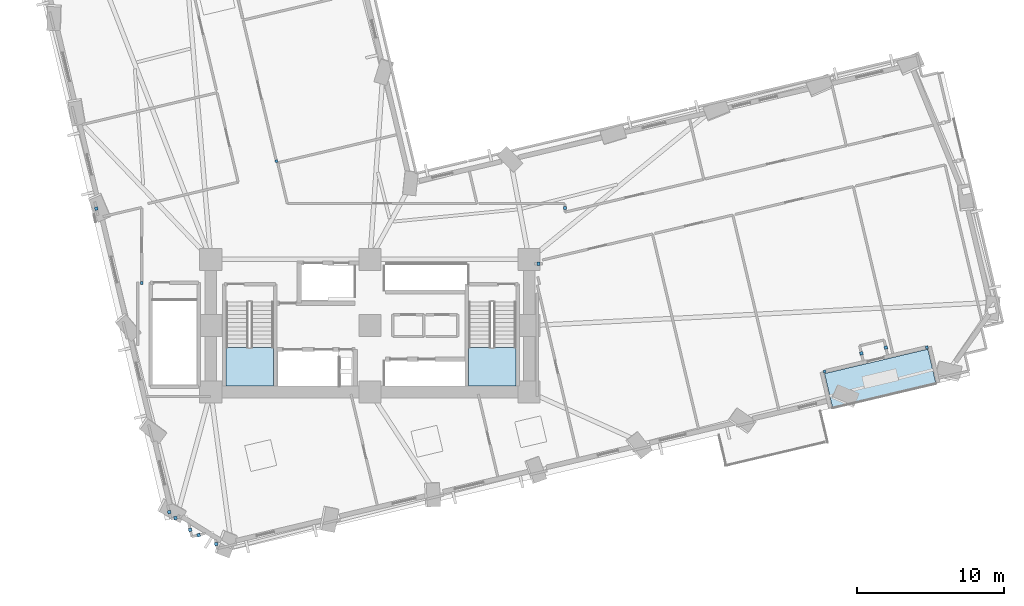
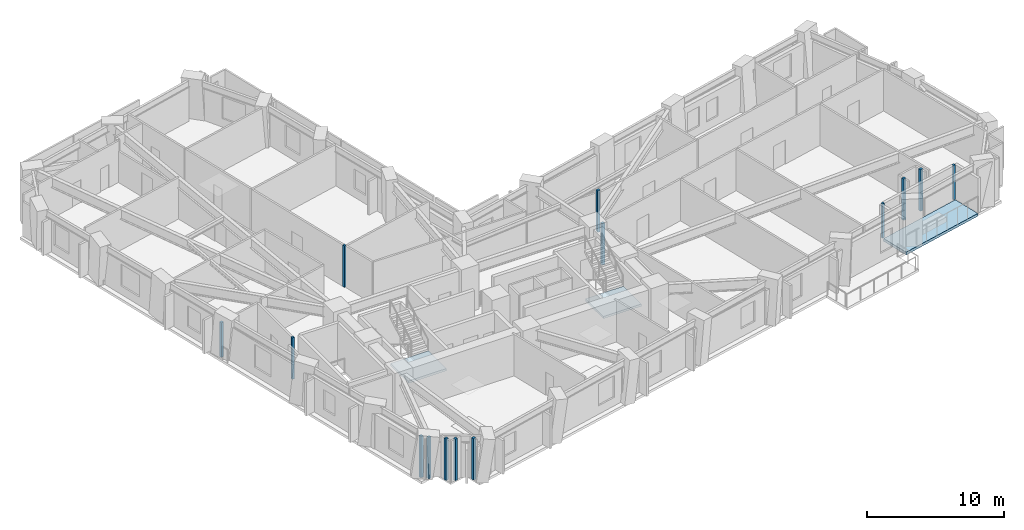
# One storey, part 3 of 14: 14 plates, 3 slabs, 2 elements without a shape of their own.
"""IFC4 building model written with IfcOpenShell, lengths in metres."""

from ifc_helpers import new_model, si_unit, direction, frame, origin, origin_2d, place, context, subcontext, project, spatial, polyline, rectangle, outline, extrude, material, layer, layer_set, type_object, element, aggregate, save


model = new_model("IFC4")

# Units and contexts
model_context = context("Model", 3, precision=1e-05, world=origin(), true_north=direction((0.0, 1.0)))
body_context = subcontext(model_context, "Body", "Model", "MODEL_VIEW")
ifc_project = project(units=[si_unit("LENGTHUNIT", "METRE"), si_unit("AREAUNIT", "SQUARE_METRE"), si_unit("VOLUMEUNIT", "CUBIC_METRE"), si_unit("PLANEANGLEUNIT", "RADIAN"), si_unit("MASSUNIT", "GRAM", prefix="KILO")], contexts=[model_context])

# Site, building, storey
site_placement = place(None, origin())
site = spatial("IfcSite", under=ifc_project, at=site_placement, CompositionType="ELEMENT")
building_placement = place(site_placement, origin())
building = spatial("IfcBuilding", under=site, at=building_placement, Name="Gaonmaruhae Medical Tower", CompositionType="ELEMENT")
storey_placement = place(building_placement, frame((0.0, 0.0, 79.0)))
storey = spatial("IfcBuildingStorey", under=building, at=storey_placement, Name="L18", CompositionType="ELEMENT", Elevation=79.0)

# Plates
ifc_material_1 = material(Name="Anodised aluminium 6063-T6", Category="aluminium")
ifc_layer_1 = layer(ifc_material_1, 0.011962890625)
ifc_layer_set_1 = layer_set([ifc_layer_1], Name="Anodised aluminium 6063-T6")
plate_type = type_object("IfcPlateType", Name="PP-01 Interior Partition Corner Stiffener Plate", PredefinedType="SHEET", material=ifc_layer_set_1)
for number, where, z_axis, x_axis, name in (
    (1, (62.57568359375, 10.831298828125, 0.0), (0.0, 0.0, 1.0), (-0.973178872777, -0.230049737188, 0.0), "L18 Partition End Jamb Post Plate PLT-L18-ENDP-TERB-0"),
    (2, (55.646484375, 9.193115234375, 0.0), (0.0, 0.0, 1.0), (-0.973178872777, -0.230049737188, 0.0), "L18 Partition End Jamb Post Plate PLT-L18-ENDP-TERB-1"),
):
    element("IfcPlate", number, at=place(storey_placement, frame(where, z_axis=z_axis, x_axis=x_axis)), inside=storey, type_object=plate_type, Name=name, PredefinedType="SHEET", context=body_context, shape_type="SweptSolid", body=[
        extrude(rectangle(XDim=0.179931640625, YDim=0.179931640625, at=origin_2d()), origin(), (0.0, 0.0, 1.0), 3.0849609375),
    ])
for number, where, z_axis, x_axis, name in (
    (3, (9.320068359375, 15.197021484375, 0.0), (0.0, 0.0, 1.0), (0.0, -1.0, 0.0), "L18 Partition End Jamb Post Plate PLT-L18-ENDP-PW046-1"),
    (4, (18.452392578125, 23.458984375, 0.0), (0.0, 0.0, 1.0), (-0.230032751978, 0.973182887754, 0.0), "L18 Partition End Jamb Post Plate PLT-L18-ENDP-PW080-0"),
):
    element("IfcPlate", number, at=place(storey_placement, frame(where, z_axis=z_axis, x_axis=x_axis)), inside=storey, type_object=plate_type, Name=name, PredefinedType="SHEET", context=body_context, shape_type="SweptSolid", body=[
        extrude(rectangle(XDim=0.179931640625, YDim=0.179931640625, at=origin_2d()), origin(), (0.0, 0.0, 1.0), 3.699951171875),
    ])
for number, where, z_axis, x_axis, name in (
    (5, (14.368408203125, -2.51708984375, 0.0), (0.0, 0.0, 1.0), (-0.229998781346, 0.973190916819, 0.0), "L18 Partition Corner Stiffener Plate PLT-L18-JGP-PW011"),
    (6, (13.177490234375, -1.91455078125, 0.0), (0.0, 0.0, 1.0), (-0.973074379322, -0.230491328051, 0.0), "L18 Partition Corner Stiffener Plate PLT-L18-JGP-PW012"),
    (7, (12.6005859375, -1.55859375, 0.0), (0.0, 0.0, 1.0), (-0.230491328051, 0.973074379322, 0.0), "L18 Partition Corner Stiffener Plate PLT-L18-JGP-PW013"),
    (8, (11.60595703125, -0.744384765625, 0.0), (0.0, 0.0, 1.0), (-0.973190916819, -0.229998781346, 0.0), "L18 Partition Corner Stiffener Plate PLT-L18-JGP-PW014"),
    (9, (11.1845703125, -0.35107421875, 0.0), (0.0, 0.0, 1.0), (-0.230253554248, 0.973130669929, 0.0), "L18 Partition Corner Stiffener Plate PLT-L18-JGP-PW015"),
    (10, (36.236572265625, 16.5, 0.0), (0.0, 0.0, 1.0), (1.0, 0.0, 0.0), "L18 Partition Corner Stiffener Plate PLT-L18-JGP-PW028"),
    (11, (59.79541015625, 10.8134765625, 0.0), (0.0, 0.0, 1.0), (-0.230253554248, 0.973130669929, 0.0), "L18 Partition Corner Stiffener Plate PLT-L18-JGP-PW034"),
    (12, (58.140380859375, 10.422607421875, 0.0), (0.0, 0.0, 1.0), (0.230253554248, -0.973130669929, 0.0), "L18 Partition Corner Stiffener Plate PLT-L18-JGP-PW036"),
):
    element("IfcPlate", number, at=place(storey_placement, frame(where, z_axis=z_axis, x_axis=x_axis)), inside=storey, type_object=plate_type, Name=name, PredefinedType="SHEET", context=body_context, shape_type="SweptSolid", body=[
        extrude(rectangle(XDim=0.219970703125, YDim=0.219970703125, at=origin_2d()), origin(), (0.0, 0.0, 1.0), 3.699951171875),
    ])
plate_1_placement = place(storey_placement, frame((6.235595703125, 20.239990234375, 0.0), z_axis=(0.0, 0.0, 1.0), x_axis=(-0.229574124822, 0.973291180075, 0.0)))
element("IfcPlate", 13, at=plate_1_placement, inside=storey, type_object=plate_type, Name="L18 Partition Corner Stiffener Plate PLT-L18-JGP-PW047", PredefinedType="SHEET", context=body_context, shape_type="SweptSolid", body=[
    extrude(rectangle(XDim=0.219970703125, YDim=0.219970703125, at=origin_2d()), origin(), (0.0, 0.0, 1.0), 3.0849609375),
])
plate_2_placement = place(storey_placement, frame((38.030029296875, 20.276611328125, 0.0), z_axis=(0.0, 0.0, 1.0), x_axis=(0.0, 1.0, 0.0)))
element("IfcPlate", 14, at=plate_2_placement, inside=storey, type_object=plate_type, Name="L18 Partition Corner Stiffener Plate PLT-L18-JGP-PW069", PredefinedType="SHEET", context=body_context, shape_type="SweptSolid", body=[
    extrude(rectangle(XDim=0.219970703125, YDim=0.219970703125, at=origin_2d()), origin(), (0.0, 0.0, 1.0), 3.699951171875),
])

# Stair, slab
ifc_material_2 = material(Name="Concrete C40/50", Category="concrete")
stair_type = type_object("IfcStairType", Name="ST-T1 Primary Core Escape Dogleg Stair", PredefinedType="TWO_QUARTER_TURN_STAIR", material=ifc_material_2)
stair_1_placement = place(storey_placement, origin())
stair_1 = element("IfcStair", 15, at=stair_1_placement, inside=storey, type_object=stair_type, Name="L18 Protected Escape Stair ST-01", PredefinedType="TWO_QUARTER_TURN_STAIR")
ifc_layer_2 = layer(ifc_material_2, 0.199951171875)
ifc_layer_set_2 = layer_set([ifc_layer_2], Name="Concrete C40/50")
slab_type_1 = type_object("IfcSlabType", Name="SL-200 Stair & Ramp Intermediate Concrete Landing", PredefinedType="LANDING", material=ifc_layer_set_2)
slab_1_placement = place(storey_placement, frame((0.0, 0.0, 1.800048828125)))
slab_1 = element("IfcSlab", 16, at=slab_1_placement, type_object=slab_type_1, Name="ST-01 landing 1", PredefinedType="LANDING", context=body_context, shape_type="SweptSolid", body=[
    extrude(outline(polyline([(15.050048828125, 10.820068359375), (15.050048828125, 8.2041015625), (18.25, 8.2041015625), (18.25, 10.820068359375), (15.050048828125, 10.820068359375)])), origin(), (0.0, 0.0, 1.0), 0.199951171875),
])
aggregate(stair_1, [slab_1])

stair_2_placement = place(storey_placement, origin())
stair_2 = element("IfcStair", 17, at=stair_2_placement, inside=storey, type_object=stair_type, Name="L18 Protected Escape Stair ST-02", PredefinedType="TWO_QUARTER_TURN_STAIR")
slab_2_placement = place(storey_placement, frame((0.0, 0.0, 1.800048828125)))
slab_2 = element("IfcSlab", 18, at=slab_2_placement, type_object=slab_type_1, Name="ST-02 landing 1", PredefinedType="LANDING", context=body_context, shape_type="SweptSolid", body=[
    extrude(outline(polyline([(31.5, 10.820068359375), (31.5, 8.2041015625), (34.699951171875, 8.2041015625), (34.699951171875, 10.820068359375), (31.5, 10.820068359375)])), origin(), (0.0, 0.0, 1.0), 0.199951171875),
])
aggregate(stair_2, [slab_2])

# Slab
ifc_layer_3 = layer(ifc_material_2, 0.239990234375)
ifc_layer_set_3 = layer_set([ifc_layer_3], Name="Concrete C40/50")
slab_type_2 = type_object("IfcSlabType", Name="TS-240 Sky Garden & Recovery Terrace Slab", PredefinedType="FLOOR", material=ifc_layer_set_3)
slab_3_placement = place(storey_placement, frame((0.0, 0.0, -0.239990234375)))
element("IfcSlab", 19, at=slab_3_placement, inside=storey, type_object=slab_type_2, Name="L18 Outdoor Recovery Terrace Slab", PredefinedType="FLOOR", context=body_context, shape_type="SweptSolid", body=[
    extrude(outline(polyline([(56.192138671875, 6.712158203125), (63.198974609375, 8.368408203125), (62.646728515625, 10.7041015625), (55.639892578125, 9.0478515625), (56.192138671875, 6.712158203125)])), origin(), (0.0, 0.0, 1.0), 0.239990234375),
])

save(model, "model.ifc")
